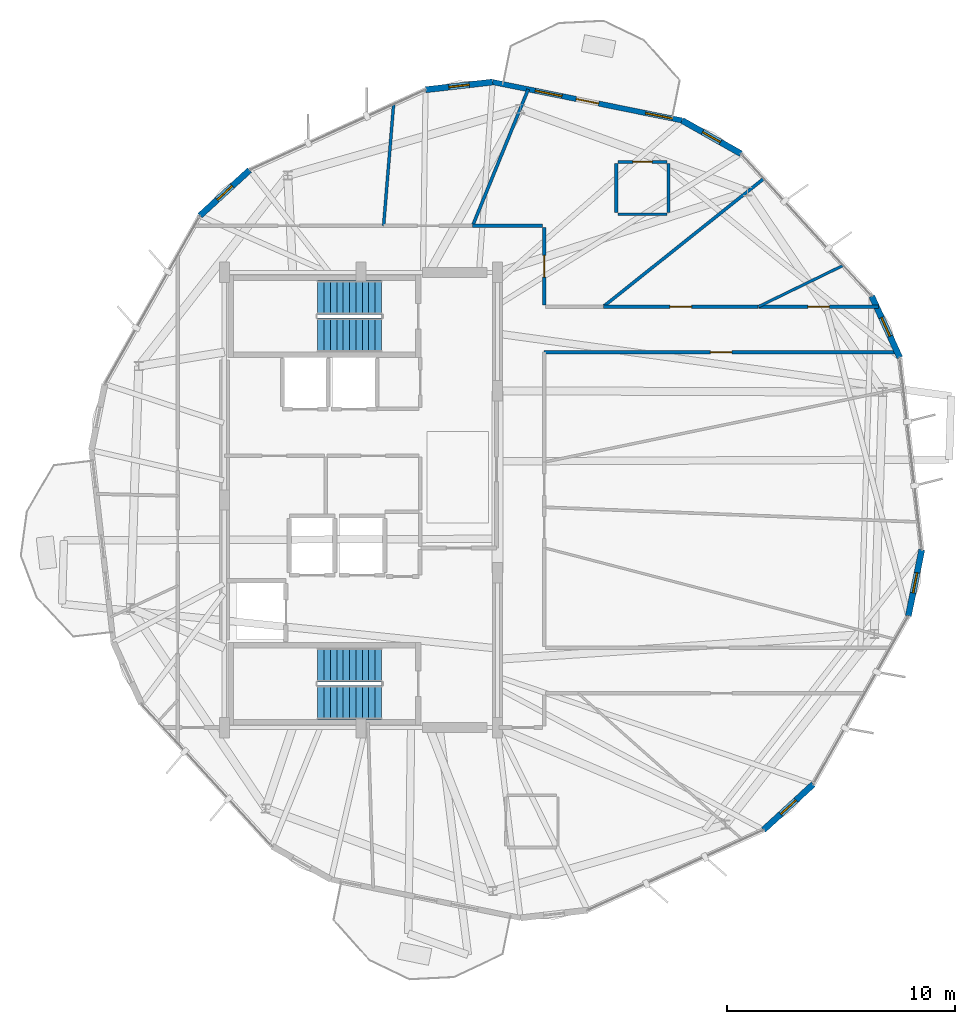
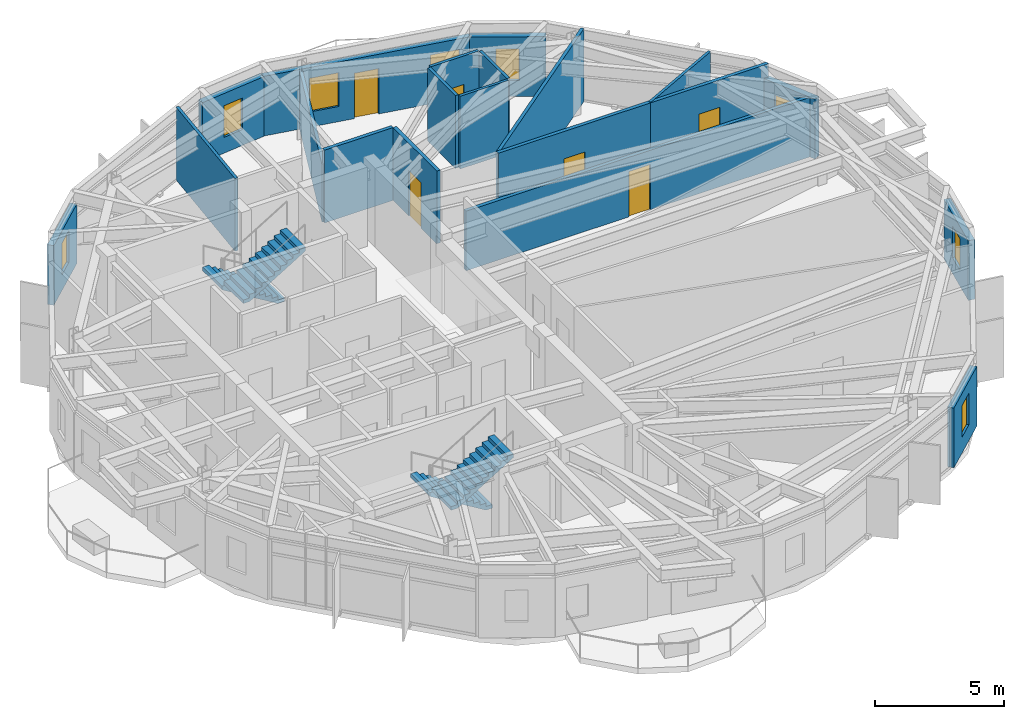
# One storey, part 19 of 23: 20 walls, 8 windows, 6 doors, 4 stair flights, 14 openings, 2 elements without a shape of their own.
"""IFC4 building model written with IfcOpenShell, lengths in metres."""

from ifc_helpers import new_model, si_unit, direction, frame, frame_2d, origin, place, context, subcontext, project, spatial, polyline, rectangle, outline, extrude, material, layer, layer_set, type_object, element, fill, aggregate, save


model = new_model("IFC4")

# Units and contexts
model_context = context("Model", 3, precision=1e-05, world=origin(), true_north=direction((0.0, 1.0)))
body_context = subcontext(model_context, "Body", "Model", "MODEL_VIEW")
ifc_project = project(units=[si_unit("LENGTHUNIT", "METRE"), si_unit("AREAUNIT", "SQUARE_METRE"), si_unit("VOLUMEUNIT", "CUBIC_METRE"), si_unit("PLANEANGLEUNIT", "RADIAN"), si_unit("MASSUNIT", "GRAM", prefix="KILO")], contexts=[model_context])

# Site, building, storey
site_placement = place(None, origin())
site = spatial("IfcSite", under=ifc_project, at=site_placement, CompositionType="ELEMENT")
building_placement = place(site_placement, origin())
building = spatial("IfcBuilding", under=site, at=building_placement, Name="Soratama Intermodal Tower", CompositionType="ELEMENT")
storey_placement = place(building_placement, frame((0.0, 0.0, 261.25)))
storey = spatial("IfcBuildingStorey", under=building, at=storey_placement, Name="L66", CompositionType="ELEMENT", Elevation=261.25)

# Wall, openings, door, windows
ifc_material_1 = material(Name="Concrete f'c 42 MPa", Category="concrete")
ifc_layer_1 = layer(ifc_material_1, 0.22998046875)
ifc_layer_set_1 = layer_set([ifc_layer_1], Name="Concrete f'c 42 MPa")
wall_type_1 = type_object("IfcWallType", Name="EW-BAL-230", PredefinedType="SOLIDWALL", material=ifc_layer_set_1)
wall_1_placement = place(storey_placement, frame((52.717529296875, 41.678955078125, 0.0), z_axis=(0.0, 0.0, 1.0), x_axis=(-0.980059134028, 0.198706048744, 0.0)))
wall_1 = element("IfcWall", 1, at=wall_1_placement, inside=storey, type_object=wall_type_1, Name="L66 Terrace Wall F01", PredefinedType="SOLIDWALL", context=body_context, shape_type="SweptSolid", body=[
    extrude(rectangle(XDim=8.499755859375, YDim=0.22998046875, at=frame_2d((4.25, 0.0))), origin(), (0.0, 0.0, 1.0), 2.8291015625),
])
opening_1_placement = place(wall_1_placement, frame((3.75, 0.0, 0.0)))
opening_1 = element("IfcOpeningElement", 2, at=opening_1_placement, cuts=wall_1, Name="Opening ED-2", PredefinedType="OPENING", context=body_context, shape_type="SweptSolid", body=[
    extrude(rectangle(XDim=1.0, YDim=2.14990234375, at=frame_2d((0.5, 1.074951171875))), frame((0.0, 0.125, 0.0), z_axis=(0.0, -1.0, 0.0), x_axis=(1.0, 0.0, 0.0)), (0.0, 0.0, 1.0), 0.25),
])
opening_2_placement = place(wall_1_placement, frame((0.43994140625, 0.0, 0.719970703125)))
opening_2 = element("IfcOpeningElement", 3, at=opening_2_placement, cuts=wall_1, Name="Opening WN-2", PredefinedType="OPENING", context=body_context, shape_type="SweptSolid", body=[
    extrude(rectangle(XDim=1.199951171875, YDim=1.60009765625, at=frame_2d((0.60009765625, 0.800048828125))), frame((0.0, 0.125, 0.0), z_axis=(0.0, -1.0, 0.0), x_axis=(1.0, 0.0, 0.0)), (0.0, 0.0, 1.0), 0.25),
])
opening_3_placement = place(wall_1_placement, frame((5.389892578125, 0.0, 0.719970703125)))
opening_3 = element("IfcOpeningElement", 4, at=opening_3_placement, cuts=wall_1, Name="Opening WN-2", PredefinedType="OPENING", context=body_context, shape_type="SweptSolid", body=[
    extrude(rectangle(XDim=1.199951171875, YDim=1.60009765625, at=frame_2d((0.60009765625, 0.800048828125))), frame((0.0, 0.125, 0.0), z_axis=(0.0, -1.0, 0.0), x_axis=(1.0, 0.0, 0.0)), (0.0, 0.0, 1.0), 0.25),
])
ifc_material_2 = material(Name="Double-glazed aluminium door", Category="aluminium")
door_type_1 = type_object("IfcDoorType", Name="DR-BAL-1000", OperationType="NOTDEFINED", PredefinedType="DOOR", material=ifc_material_2)
door_1_placement = place(opening_1_placement, origin())
door_1 = element("IfcDoor", 5, at=door_1_placement, inside=storey, type_object=door_type_1, Name="L66 Balcony Door F01", OperationType="SINGLE_SWING_LEFT", OverallHeight=2.14990234375, OverallWidth=1.0, PredefinedType="DOOR", context=body_context, shape_type="SweptSolid", body=[
    extrude(rectangle(XDim=1.0, YDim=2.14990234375, at=frame_2d((0.5, 1.074951171875))), frame((0.0, 0.02490234375, 0.0), z_axis=(0.0, -1.0, 0.0), x_axis=(1.0, 0.0, 0.0)), (0.0, 0.0, 1.0), 0.050048828125),
])
fill(opening_1, door_1)
ifc_material_3 = material(Name="Double-glazed aluminium window", Category="aluminium")
window_type_1 = type_object("IfcWindowType", Name="WN-FAC-1200", PartitioningType="SINGLE_PANEL", PredefinedType="WINDOW", material=ifc_material_3)
window_1_placement = place(opening_2_placement, origin())
window_1 = element("IfcWindow", 6, at=window_1_placement, inside=storey, type_object=window_type_1, Name="L66 Window A F01", OverallHeight=1.60009765625, OverallWidth=1.199951171875, PartitioningType="SINGLE_PANEL", PredefinedType="WINDOW", context=body_context, shape_type="SweptSolid", body=[
    extrude(rectangle(XDim=1.199951171875, YDim=1.60009765625, at=frame_2d((0.60009765625, 0.800048828125))), frame((0.0, 0.030029296875, 0.0), z_axis=(0.0, -1.0, 0.0), x_axis=(1.0, 0.0, 0.0)), (0.0, 0.0, 1.0), 0.06005859375),
])
fill(opening_2, window_1)
window_2_placement = place(opening_3_placement, origin())
window_2 = element("IfcWindow", 7, at=window_2_placement, inside=storey, type_object=window_type_1, Name="L66 Window B F01", OverallHeight=1.60009765625, OverallWidth=1.199951171875, PartitioningType="SINGLE_PANEL", PredefinedType="WINDOW", context=body_context, shape_type="SweptSolid", body=[
    extrude(rectangle(XDim=1.199951171875, YDim=1.60009765625, at=frame_2d((0.60009765625, 0.800048828125))), frame((0.0, 0.030029296875, 0.0), z_axis=(0.0, -1.0, 0.0), x_axis=(1.0, 0.0, 0.0)), (0.0, 0.0, 1.0), 0.06005859375),
])
fill(opening_3, window_2)

# Wall, opening, window
ifc_material_4 = material(Name="Concrete f'c 42 MPa", Category="concrete")
ifc_layer_2 = layer(ifc_material_4, 0.27001953125)
ifc_layer_set_2 = layer_set([ifc_layer_2], Name="Concrete f'c 42 MPa")
wall_type_2 = type_object("IfcWallType", Name="EW-CRN-270", PredefinedType="SOLIDWALL", material=ifc_layer_set_2)
wall_2_placement = place(storey_placement, frame((44.38720703125, 43.367919921875, 0.0), z_axis=(0.0, 0.0, 1.0), x_axis=(-0.993482974501, -0.113980609649, 0.0)))
wall_2 = element("IfcWall", 8, at=wall_2_placement, inside=storey, type_object=wall_type_2, Name="L66 Corner Closure Wall 01", PredefinedType="SOLIDWALL", context=body_context, shape_type="SweptSolid", body=[
    extrude(rectangle(XDim=2.966552734375, YDim=0.27001953125, at=frame_2d((1.4833984375, 0.0))), origin(), (0.0, 0.0, 1.0), 2.8291015625),
])
opening_4_placement = place(wall_2_placement, frame((1.033203125, 0.0, 0.75)))
opening_4 = element("IfcOpeningElement", 9, at=opening_4_placement, cuts=wall_2, Name="Opening WN-6", PredefinedType="OPENING", context=body_context, shape_type="SweptSolid", body=[
    extrude(rectangle(XDim=0.89990234375, YDim=1.5, at=frame_2d((0.449951171875, 0.75))), frame((0.0, 0.14501953125, 0.0), z_axis=(0.0, -1.0, 0.0), x_axis=(1.0, 0.0, 0.0)), (0.0, 0.0, 1.0), 0.2900390625),
])
ifc_material_5 = material(Name="Double-glazed aluminium window", Category="aluminium")
window_type_2 = type_object("IfcWindowType", Name="WN-FAC-900", PartitioningType="SINGLE_PANEL", PredefinedType="WINDOW", material=ifc_material_5)
window_3_placement = place(opening_4_placement, origin())
window_3 = element("IfcWindow", 10, at=window_3_placement, inside=storey, type_object=window_type_2, Name="L66 Corner Window 01", OverallHeight=1.5, OverallWidth=0.89990234375, PartitioningType="SINGLE_PANEL", PredefinedType="WINDOW", context=body_context, shape_type="SweptSolid", body=[
    extrude(rectangle(XDim=0.89990234375, YDim=1.5, at=frame_2d((0.449951171875, 0.75))), frame((0.0, 0.030029296875, 0.0), z_axis=(0.0, -1.0, 0.0), x_axis=(1.0, 0.0, 0.0)), (0.0, 0.0, 1.0), 0.06005859375),
])
fill(opening_4, window_3)

wall_3_placement = place(storey_placement, frame((33.7080078125, 39.499755859375, 0.0), z_axis=(0.0, 0.0, 1.0), x_axis=(-0.736781684987, -0.676130718625, 0.0)))
wall_3 = element("IfcWall", 11, at=wall_3_placement, inside=storey, type_object=wall_type_2, Name="L66 Corner Closure Wall 02", PredefinedType="SOLIDWALL", context=body_context, shape_type="SweptSolid", body=[
    extrude(rectangle(XDim=2.966552734375, YDim=0.27001953125, at=frame_2d((1.4833984375, 0.0))), origin(), (0.0, 0.0, 1.0), 2.8291015625),
])
opening_5_placement = place(wall_3_placement, frame((1.033203125, 0.0, 0.75)))
opening_5 = element("IfcOpeningElement", 12, at=opening_5_placement, cuts=wall_3, Name="Opening WN-6", PredefinedType="OPENING", context=body_context, shape_type="SweptSolid", body=[
    extrude(rectangle(XDim=0.89990234375, YDim=1.5, at=frame_2d((0.449951171875, 0.75))), frame((0.0, 0.14501953125, 0.0), z_axis=(0.0, -1.0, 0.0), x_axis=(1.0, 0.0, 0.0)), (0.0, 0.0, 1.0), 0.2900390625),
])
window_4_placement = place(opening_5_placement, origin())
window_4 = element("IfcWindow", 13, at=window_4_placement, inside=storey, type_object=window_type_2, Name="L66 Corner Window 02", OverallHeight=1.5, OverallWidth=0.89990234375, PartitioningType="SINGLE_PANEL", PredefinedType="WINDOW", context=body_context, shape_type="SweptSolid", body=[
    extrude(rectangle(XDim=0.89990234375, YDim=1.5, at=frame_2d((0.449951171875, 0.75))), frame((0.0, 0.030029296875, 0.0), z_axis=(0.0, -1.0, 0.0), x_axis=(1.0, 0.0, 0.0)), (0.0, 0.0, 1.0), 0.06005859375),
])
fill(opening_5, window_4)

wall_4_placement = place(storey_placement, frame((56.2919921875, 10.500244140625, 0.0), z_axis=(0.0, 0.0, 1.0), x_axis=(0.736781684987, 0.676130718625, 0.0)))
wall_4 = element("IfcWall", 14, at=wall_4_placement, inside=storey, type_object=wall_type_2, Name="L66 Corner Closure Wall 07", PredefinedType="SOLIDWALL", context=body_context, shape_type="SweptSolid", body=[
    extrude(rectangle(XDim=2.966552734375, YDim=0.27001953125, at=frame_2d((1.4833984375, 0.0))), origin(), (0.0, 0.0, 1.0), 2.8291015625),
])
opening_6_placement = place(wall_4_placement, frame((1.033203125, 0.0, 0.75)))
opening_6 = element("IfcOpeningElement", 15, at=opening_6_placement, cuts=wall_4, Name="Opening WN-6", PredefinedType="OPENING", context=body_context, shape_type="SweptSolid", body=[
    extrude(rectangle(XDim=0.89990234375, YDim=1.5, at=frame_2d((0.449951171875, 0.75))), frame((0.0, 0.14501953125, 0.0), z_axis=(0.0, -1.0, 0.0), x_axis=(1.0, 0.0, 0.0)), (0.0, 0.0, 1.0), 0.2900390625),
])
window_5_placement = place(opening_6_placement, origin())
window_5 = element("IfcWindow", 16, at=window_5_placement, inside=storey, type_object=window_type_2, Name="L66 Corner Window 07", OverallHeight=1.5, OverallWidth=0.89990234375, PartitioningType="SINGLE_PANEL", PredefinedType="WINDOW", context=body_context, shape_type="SweptSolid", body=[
    extrude(rectangle(XDim=0.89990234375, YDim=1.5, at=frame_2d((0.449951171875, 0.75))), frame((0.0, 0.030029296875, 0.0), z_axis=(0.0, -1.0, 0.0), x_axis=(1.0, 0.0, 0.0)), (0.0, 0.0, 1.0), 0.06005859375),
])
fill(opening_6, window_5)

wall_5_placement = place(storey_placement, frame((62.658203125, 19.90673828125, 0.0), z_axis=(0.0, 0.0, 1.0), x_axis=(0.198663496017, 0.980067760591, 0.0)))
wall_5 = element("IfcWall", 17, at=wall_5_placement, inside=storey, type_object=wall_type_2, Name="L66 Corner Closure Wall 08", PredefinedType="SOLIDWALL", context=body_context, shape_type="SweptSolid", body=[
    extrude(rectangle(XDim=2.966552734375, YDim=0.27001953125, at=frame_2d((1.4833984375, 0.0))), origin(), (0.0, 0.0, 1.0), 2.8291015625),
])
opening_7_placement = place(wall_5_placement, frame((1.033203125, 0.0, 0.75)))
opening_7 = element("IfcOpeningElement", 18, at=opening_7_placement, cuts=wall_5, Name="Opening WN-6", PredefinedType="OPENING", context=body_context, shape_type="SweptSolid", body=[
    extrude(rectangle(XDim=0.89990234375, YDim=1.5, at=frame_2d((0.449951171875, 0.75))), frame((0.0, 0.14501953125, 0.0), z_axis=(0.0, -1.0, 0.0), x_axis=(1.0, 0.0, 0.0)), (0.0, 0.0, 1.0), 0.2900390625),
])
window_6_placement = place(opening_7_placement, origin())
window_6 = element("IfcWindow", 19, at=window_6_placement, inside=storey, type_object=window_type_2, Name="L66 Corner Window 08", OverallHeight=1.5, OverallWidth=0.89990234375, PartitioningType="SINGLE_PANEL", PredefinedType="WINDOW", context=body_context, shape_type="SweptSolid", body=[
    extrude(rectangle(XDim=0.89990234375, YDim=1.5, at=frame_2d((0.449951171875, 0.75))), frame((0.0, 0.030029296875, 0.0), z_axis=(0.0, -1.0, 0.0), x_axis=(1.0, 0.0, 0.0)), (0.0, 0.0, 1.0), 0.06005859375),
])
fill(opening_7, window_6)

wall_6_placement = place(storey_placement, frame((62.279541015625, 31.2587890625, 0.0), z_axis=(0.0, 0.0, 1.0), x_axis=(-0.415364895304, 0.909654881672, 0.0)))
wall_6 = element("IfcWall", 20, at=wall_6_placement, inside=storey, type_object=wall_type_2, Name="L66 Corner Closure Wall 09", PredefinedType="SOLIDWALL", context=body_context, shape_type="SweptSolid", body=[
    extrude(rectangle(XDim=2.966552734375, YDim=0.27001953125, at=frame_2d((1.4833984375, 0.0))), origin(), (0.0, 0.0, 1.0), 2.8291015625),
])
opening_8_placement = place(wall_6_placement, frame((1.033203125, 0.0, 0.75)))
opening_8 = element("IfcOpeningElement", 21, at=opening_8_placement, cuts=wall_6, Name="Opening WN-6", PredefinedType="OPENING", context=body_context, shape_type="SweptSolid", body=[
    extrude(rectangle(XDim=0.89990234375, YDim=1.5, at=frame_2d((0.449951171875, 0.75))), frame((0.0, 0.14501953125, 0.0), z_axis=(0.0, -1.0, 0.0), x_axis=(1.0, 0.0, 0.0)), (0.0, 0.0, 1.0), 0.2900390625),
])
window_7_placement = place(opening_8_placement, origin())
window_7 = element("IfcWindow", 22, at=window_7_placement, inside=storey, type_object=window_type_2, Name="L66 Corner Window 09", OverallHeight=1.5, OverallWidth=0.89990234375, PartitioningType="SINGLE_PANEL", PredefinedType="WINDOW", context=body_context, shape_type="SweptSolid", body=[
    extrude(rectangle(XDim=0.89990234375, YDim=1.5, at=frame_2d((0.449951171875, 0.75))), frame((0.0, 0.030029296875, 0.0), z_axis=(0.0, -1.0, 0.0), x_axis=(1.0, 0.0, 0.0)), (0.0, 0.0, 1.0), 0.06005859375),
])
fill(opening_8, window_7)

wall_7_placement = place(storey_placement, frame((55.300537109375, 40.219970703125, 0.0), z_axis=(0.0, 0.0, 1.0), x_axis=(-0.870703816421, 0.491807751128, 0.0)))
wall_7 = element("IfcWall", 23, at=wall_7_placement, inside=storey, type_object=wall_type_2, Name="L66 Corner Closure Wall 10", PredefinedType="SOLIDWALL", context=body_context, shape_type="SweptSolid", body=[
    extrude(rectangle(XDim=2.966552734375, YDim=0.27001953125, at=frame_2d((1.4833984375, 0.0))), origin(), (0.0, 0.0, 1.0), 2.8291015625),
])
opening_9_placement = place(wall_7_placement, frame((1.033203125, 0.0, 0.75)))
opening_9 = element("IfcOpeningElement", 24, at=opening_9_placement, cuts=wall_7, Name="Opening WN-6", PredefinedType="OPENING", context=body_context, shape_type="SweptSolid", body=[
    extrude(rectangle(XDim=0.89990234375, YDim=1.5, at=frame_2d((0.449951171875, 0.75))), frame((0.0, 0.14501953125, 0.0), z_axis=(0.0, -1.0, 0.0), x_axis=(1.0, 0.0, 0.0)), (0.0, 0.0, 1.0), 0.2900390625),
])
window_8_placement = place(opening_9_placement, origin())
window_8 = element("IfcWindow", 25, at=window_8_placement, inside=storey, type_object=window_type_2, Name="L66 Corner Window 10", OverallHeight=1.5, OverallWidth=0.89990234375, PartitioningType="SINGLE_PANEL", PredefinedType="WINDOW", context=body_context, shape_type="SweptSolid", body=[
    extrude(rectangle(XDim=0.89990234375, YDim=1.5, at=frame_2d((0.449951171875, 0.75))), frame((0.0, 0.030029296875, 0.0), z_axis=(0.0, -1.0, 0.0), x_axis=(1.0, 0.0, 0.0)), (0.0, 0.0, 1.0), 0.06005859375),
])
fill(opening_9, window_8)

# Wall, opening, door
ifc_material_6 = material(Name="Fire-rated gypsum stud partition", Category="concrete")
ifc_layer_3 = layer(ifc_material_6, 0.159912109375)
ifc_layer_set_3 = layer_set([ifc_layer_3], Name="Fire-rated gypsum stud partition")
wall_type_3 = type_object("IfcWallType", Name="IW-PART-R160", PredefinedType="PARTITIONING", material=ifc_layer_set_3)
wall_8_placement = place(storey_placement, frame((62.2119140625, 31.5, 0.0), z_axis=(0.0, 0.0, 1.0), x_axis=(-1.0, 0.0, 0.0)))
wall_8 = element("IfcWall", 26, at=wall_8_placement, inside=storey, type_object=wall_type_3, Name="L66 Partition W-L66-TP004", PredefinedType="PARTITIONING", context=body_context, shape_type="SweptSolid", body=[
    extrude(rectangle(XDim=15.56201171875, YDim=0.159912109375, at=frame_2d((7.781005859375, 0.0))), origin(), (0.0, 0.0, 1.0), 2.823974609375),
])
opening_10_placement = place(wall_8_placement, frame((7.305908203125, 0.0, 0.0)))
opening_10 = element("IfcOpeningElement", 27, at=opening_10_placement, cuts=wall_8, Name="Opening ID-3", PredefinedType="OPENING", context=body_context, shape_type="SweptSolid", body=[
    extrude(rectangle(XDim=0.949951171875, YDim=2.14990234375, at=frame_2d((0.47509765625, 1.074951171875))), frame((0.0, 0.08984375, 0.0), z_axis=(0.0, -1.0, 0.0), x_axis=(1.0, 0.0, 0.0)), (0.0, 0.0, 1.0), 0.179931640625),
])
ifc_material_7 = material(Name="Solid hardwood acoustic door", Category="wood")
door_type_2 = type_object("IfcDoorType", Name="DR-ROOM-950", OperationType="NOTDEFINED", PredefinedType="DOOR", material=ifc_material_7)
door_2_placement = place(opening_10_placement, origin())
door_2 = element("IfcDoor", 28, at=door_2_placement, inside=storey, type_object=door_type_2, Name="L66 Door D-L66-TP001", OperationType="SINGLE_SWING_RIGHT", OverallHeight=2.14990234375, OverallWidth=0.949951171875, PredefinedType="DOOR", context=body_context, shape_type="SweptSolid", body=[
    extrude(rectangle(XDim=0.949951171875, YDim=2.14990234375, at=frame_2d((0.47509765625, 1.074951171875))), frame((0.0, 0.02490234375, 0.0), z_axis=(0.0, -1.0, 0.0), x_axis=(1.0, 0.0, 0.0)), (0.0, 0.0, 1.0), 0.050048828125),
])
fill(opening_10, door_2)

wall_9_placement = place(storey_placement, frame((49.25390625, 33.5, 0.0), z_axis=(0.0, 0.0, 1.0), x_axis=(1.0, 0.0, 0.0)))
wall_9 = element("IfcWall", 29, at=wall_9_placement, inside=storey, type_object=wall_type_3, Name="L66 Partition W-L66-TP013", PredefinedType="PARTITIONING", context=body_context, shape_type="SweptSolid", body=[
    extrude(rectangle(XDim=6.80517578125, YDim=0.159912109375, at=frame_2d((3.402587890625, 0.0))), origin(), (0.0, 0.0, 1.0), 3.449951171875),
])
opening_11_placement = place(wall_9_placement, frame((2.927001953125, 0.0, 0.0)))
opening_11 = element("IfcOpeningElement", 30, at=opening_11_placement, cuts=wall_9, Name="Opening ID-3", PredefinedType="OPENING", context=body_context, shape_type="SweptSolid", body=[
    extrude(rectangle(XDim=0.949951171875, YDim=2.14990234375, at=frame_2d((0.47509765625, 1.074951171875))), frame((0.0, 0.08984375, 0.0), z_axis=(0.0, -1.0, 0.0), x_axis=(1.0, 0.0, 0.0)), (0.0, 0.0, 1.0), 0.179931640625),
])
door_3_placement = place(opening_11_placement, origin())
door_3 = element("IfcDoor", 31, at=door_3_placement, inside=storey, type_object=door_type_2, Name="L66 Door D-L66-TP007", OperationType="SINGLE_SWING_RIGHT", OverallHeight=2.14990234375, OverallWidth=0.949951171875, PredefinedType="DOOR", context=body_context, shape_type="SweptSolid", body=[
    extrude(rectangle(XDim=0.949951171875, YDim=2.14990234375, at=frame_2d((0.47509765625, 1.074951171875))), frame((0.0, 0.02490234375, 0.0), z_axis=(0.0, -1.0, 0.0), x_axis=(1.0, 0.0, 0.0)), (0.0, 0.0, 1.0), 0.050048828125),
])
fill(opening_11, door_3)

wall_10_placement = place(storey_placement, frame((56.075927734375, 33.5, 0.0), z_axis=(0.0, 0.0, 1.0), x_axis=(1.0, 0.0, 0.0)))
wall_10 = element("IfcWall", 32, at=wall_10_placement, inside=storey, type_object=wall_type_3, Name="L66 Partition W-L66-TP016", PredefinedType="PARTITIONING", context=body_context, shape_type="SweptSolid", body=[
    extrude(rectangle(XDim=5.275146484375, YDim=0.159912109375, at=frame_2d((2.6376953125, 0.0))), origin(), (0.0, 0.0, 1.0), 3.449951171875),
])
opening_12_placement = place(wall_10_placement, frame((2.162109375, 0.0, 0.0)))
opening_12 = element("IfcOpeningElement", 33, at=opening_12_placement, cuts=wall_10, Name="Opening ID-3", PredefinedType="OPENING", context=body_context, shape_type="SweptSolid", body=[
    extrude(rectangle(XDim=0.949951171875, YDim=2.14990234375, at=frame_2d((0.47509765625, 1.074951171875))), frame((0.0, 0.08984375, 0.0), z_axis=(0.0, -1.0, 0.0), x_axis=(1.0, 0.0, 0.0)), (0.0, 0.0, 1.0), 0.179931640625),
])
door_4_placement = place(opening_12_placement, origin())
door_4 = element("IfcDoor", 34, at=door_4_placement, inside=storey, type_object=door_type_2, Name="L66 Door D-L66-TP008", OperationType="SINGLE_SWING_LEFT", OverallHeight=2.14990234375, OverallWidth=0.949951171875, PredefinedType="DOOR", context=body_context, shape_type="SweptSolid", body=[
    extrude(rectangle(XDim=0.949951171875, YDim=2.14990234375, at=frame_2d((0.47509765625, 1.074951171875))), frame((0.0, 0.02490234375, 0.0), z_axis=(0.0, -1.0, 0.0), x_axis=(1.0, 0.0, 0.0)), (0.0, 0.0, 1.0), 0.050048828125),
])
fill(opening_12, door_4)

wall_11_placement = place(storey_placement, frame((46.64990234375, 36.97998046875, 0.0), z_axis=(0.0, 0.0, 1.0), x_axis=(0.0, -1.0, 0.0)))
wall_11 = element("IfcWall", 35, at=wall_11_placement, inside=storey, type_object=wall_type_3, Name="L66 Partition W-L66-TP026", PredefinedType="PARTITIONING", context=body_context, shape_type="SweptSolid", body=[
    extrude(rectangle(XDim=3.409912109375, YDim=0.159912109375, at=frame_2d((1.705078125, 0.0))), origin(), (0.0, 0.0, 1.0), 3.449951171875),
])
opening_13_placement = place(wall_11_placement, frame((1.22998046875, 0.0, 0.0)))
opening_13 = element("IfcOpeningElement", 36, at=opening_13_placement, cuts=wall_11, Name="Opening ID-3", PredefinedType="OPENING", context=body_context, shape_type="SweptSolid", body=[
    extrude(rectangle(XDim=0.949951171875, YDim=2.14990234375, at=frame_2d((0.47509765625, 1.074951171875))), frame((0.0, 0.08984375, 0.0), z_axis=(0.0, -1.0, 0.0), x_axis=(1.0, 0.0, 0.0)), (0.0, 0.0, 1.0), 0.179931640625),
])
door_5_placement = place(opening_13_placement, origin())
door_5 = element("IfcDoor", 37, at=door_5_placement, inside=storey, type_object=door_type_2, Name="L66 Door D-L66-TP014", OperationType="SINGLE_SWING_LEFT", OverallHeight=2.14990234375, OverallWidth=0.949951171875, PredefinedType="DOOR", context=body_context, shape_type="SweptSolid", body=[
    extrude(rectangle(XDim=0.949951171875, YDim=2.14990234375, at=frame_2d((0.47509765625, 1.074951171875))), frame((0.0, 0.02490234375, 0.0), z_axis=(0.0, -1.0, 0.0), x_axis=(1.0, 0.0, 0.0)), (0.0, 0.0, 1.0), 0.050048828125),
])
fill(opening_13, door_5)

# Walls
wall_12_placement = place(storey_placement, frame((43.508056640625, 37.050048828125, 0.0), z_axis=(0.0, 0.0, 1.0), x_axis=(1.0, 0.0, 0.0)))
element("IfcWall", 38, at=wall_12_placement, inside=storey, type_object=wall_type_3, Name="L66 Partition W-L66-TP029", PredefinedType="PARTITIONING", context=body_context, shape_type="SweptSolid", body=[
    extrude(rectangle(XDim=3.072021484375, YDim=0.159912109375, at=frame_2d((1.5361328125, 0.0))), origin(), (0.0, 0.0, 1.0), 3.449951171875),
])
ifc_material_8 = material(Name="Fire-rated gypsum stud partition", Category="concrete")
ifc_layer_4 = layer(ifc_material_8, 0.1201171875)
ifc_layer_set_4 = layer_set([ifc_layer_4], Name="Fire-rated gypsum stud partition")
wall_type_4 = type_object("IfcWallType", Name="IW-PART-S120", PredefinedType="PARTITIONING", material=ifc_layer_set_4)
wall_13_placement = place(storey_placement, frame((56.075927734375, 33.5, 0.0), z_axis=(0.0, 0.0, 1.0), x_axis=(0.899158676247, 0.437622754128, 0.0)))
element("IfcWall", 39, at=wall_13_placement, inside=storey, type_object=wall_type_4, Name="L66 Partition W-L66-TP021", PredefinedType="PARTITIONING", context=body_context, shape_type="SweptSolid", body=[
    extrude(rectangle(XDim=4.14501953125, YDim=0.1201171875, at=frame_2d((2.072509765625, 0.0))), origin(), (0.0, 0.0, 1.0), 3.449951171875),
])
wall_14_placement = place(storey_placement, frame((49.89111328125, 37.56103515625, 0.0), z_axis=(0.0, 0.0, 1.0), x_axis=(1.0, 0.0, 0.0)))
element("IfcWall", 40, at=wall_14_placement, inside=storey, type_object=wall_type_4, Name="L66 Partition W-L66-TP036", PredefinedType="PARTITIONING", context=body_context, shape_type="SweptSolid", body=[
    extrude(rectangle(XDim=2.159912109375, YDim=0.1201171875, at=frame_2d((1.080078125, 0.0))), origin(), (0.0, 0.0, 1.0), 3.449951171875),
])
ifc_material_9 = material(Name="Fire-rated gypsum stud partition", Category="concrete")
ifc_layer_5 = layer(ifc_material_9, 0.1298828125)
ifc_layer_set_5 = layer_set([ifc_layer_5], Name="Fire-rated gypsum stud partition")
wall_type_5 = type_object("IfcWallType", Name="IW-PART-S130", PredefinedType="PARTITIONING", material=ifc_layer_set_5)
wall_15_placement = place(storey_placement, frame((39.594970703125, 37.050048828125, 0.0), z_axis=(0.0, 0.0, 1.0), x_axis=(0.082306219111, 0.996607087219, 0.0)))
element("IfcWall", 41, at=wall_15_placement, inside=storey, type_object=wall_type_5, Name="L66 Partition W-L66-TP015", PredefinedType="PARTITIONING", context=body_context, shape_type="SweptSolid", body=[
    extrude(rectangle(XDim=5.35693359375, YDim=0.1298828125, at=frame_2d((2.678466796875, 0.0))), origin(), (0.0, 0.0, 1.0), 3.449951171875),
])

# Wall, opening, door
wall_16_placement = place(storey_placement, frame((52.051025390625, 39.861083984375, 0.0), z_axis=(0.0, 0.0, 1.0), x_axis=(-1.0, 0.0, 0.0)))
wall_16 = element("IfcWall", 42, at=wall_16_placement, inside=storey, type_object=wall_type_5, Name="L66 Partition W-L66-TP035", PredefinedType="PARTITIONING", context=body_context, shape_type="SweptSolid", body=[
    extrude(rectangle(XDim=2.159912109375, YDim=0.1298828125, at=frame_2d((1.080078125, 0.0))), origin(), (0.0, 0.0, 1.0), 3.449951171875),
])
opening_14_placement = place(wall_16_placement, frame((0.655029296875, 0.0, 0.0)))
opening_14 = element("IfcOpeningElement", 43, at=opening_14_placement, cuts=wall_16, Name="Opening ID-4", PredefinedType="OPENING", context=body_context, shape_type="SweptSolid", body=[
    extrude(rectangle(XDim=0.85009765625, YDim=2.10009765625, at=frame_2d((0.425048828125, 1.050048828125))), frame((0.0, 0.074951171875, 0.0), z_axis=(0.0, -1.0, 0.0), x_axis=(1.0, 0.0, 0.0)), (0.0, 0.0, 1.0), 0.14990234375),
])
ifc_material_10 = material(Name="Solid hardwood acoustic door", Category="wood")
door_type_3 = type_object("IfcDoorType", Name="DR-BATH-850", OperationType="NOTDEFINED", PredefinedType="DOOR", material=ifc_material_10)
door_6_placement = place(opening_14_placement, origin())
door_6 = element("IfcDoor", 44, at=door_6_placement, inside=storey, type_object=door_type_3, Name="L66 Door D-L66-TP018", OperationType="SINGLE_SWING_LEFT", OverallHeight=2.10009765625, OverallWidth=0.85009765625, PredefinedType="DOOR", context=body_context, shape_type="SweptSolid", body=[
    extrude(rectangle(XDim=0.85009765625, YDim=2.10009765625, at=frame_2d((0.425048828125, 1.050048828125))), frame((0.0, 0.02490234375, 0.0), z_axis=(0.0, -1.0, 0.0), x_axis=(1.0, 0.0, 0.0)), (0.0, 0.0, 1.0), 0.050048828125),
])
fill(opening_14, door_6)

# Walls
wall_17_placement = place(storey_placement, frame((52.12109375, 37.631103515625, 0.0), z_axis=(0.0, 0.0, 1.0), x_axis=(0.0, 1.0, 0.0)))
element("IfcWall", 45, at=wall_17_placement, inside=storey, type_object=wall_type_5, Name="L66 Partition W-L66-TP040", PredefinedType="PARTITIONING", context=body_context, shape_type="SweptSolid", body=[
    extrude(rectangle(XDim=2.159912109375, YDim=0.1298828125, at=frame_2d((1.080078125, 0.0))), origin(), (0.0, 0.0, 1.0), 3.449951171875),
])
ifc_material_11 = material(Name="Fire-rated gypsum stud partition", Category="concrete")
ifc_layer_6 = layer(ifc_material_11, 0.139892578125)
ifc_layer_set_6 = layer_set([ifc_layer_6], Name="Fire-rated gypsum stud partition")
wall_type_6 = type_object("IfcWallType", Name="IW-PART-S140", PredefinedType="PARTITIONING", material=ifc_layer_set_6)
wall_18_placement = place(storey_placement, frame((49.25390625, 33.5, 0.0), z_axis=(0.0, 0.0, 1.0), x_axis=(0.781723660119, 0.623624982831, 0.0)))
element("IfcWall", 46, at=wall_18_placement, inside=storey, type_object=wall_type_6, Name="L66 Partition W-L66-TP009", PredefinedType="PARTITIONING", context=body_context, shape_type="SweptSolid", body=[
    extrude(rectangle(XDim=9.019775390625, YDim=0.139892578125, at=frame_2d((4.509765625, 0.0))), origin(), (0.0, 0.0, 1.0), 3.449951171875),
])
wall_19_placement = place(storey_placement, frame((43.508056640625, 37.050048828125, 0.0), z_axis=(0.0, 0.0, 1.0), x_axis=(0.377035942595, 0.926198627721, 0.0)))
element("IfcWall", 47, at=wall_19_placement, inside=storey, type_object=wall_type_6, Name="L66 Partition W-L66-TP014", PredefinedType="PARTITIONING", context=body_context, shape_type="SweptSolid", body=[
    extrude(rectangle(XDim=6.479248046875, YDim=0.139892578125, at=frame_2d((3.23974609375, 0.0))), origin(), (0.0, 0.0, 1.0), 2.7451171875),
])
wall_20_placement = place(storey_placement, frame((49.821044921875, 39.791015625, 0.0), z_axis=(0.0, 0.0, 1.0), x_axis=(0.0, -1.0, 0.0)))
element("IfcWall", 48, at=wall_20_placement, inside=storey, type_object=wall_type_6, Name="L66 Partition W-L66-TP039", PredefinedType="PARTITIONING", context=body_context, shape_type="SweptSolid", body=[
    extrude(rectangle(XDim=2.159912109375, YDim=0.139892578125, at=frame_2d((1.080078125, 0.0))), origin(), (0.0, 0.0, 1.0), 3.449951171875),
])

# Stair, stair flights
ifc_material_12 = material(Name="Concrete f'c 42 MPa", Category="concrete")
stair_type = type_object("IfcStairType", Name="ST-CORE-DOGLEG", PredefinedType="HALF_TURN_STAIR", material=ifc_material_12)
stair_1_placement = place(storey_placement, origin())
stair_1 = element("IfcStair", 49, at=stair_1_placement, inside=storey, type_object=stair_type, Name="L66 ST-1", PredefinedType="HALF_TURN_STAIR")
ifc_material_13 = material(Name="Precast concrete f'c 40 MPa", Category="concrete")
ifc_layer_7 = layer(ifc_material_13, 0.199951171875)
ifc_layer_set_7 = layer_set([ifc_layer_7], Name="Precast concrete f'c 40 MPa")
stair_flight_type = type_object("IfcStairFlightType", Name="SF-FLIGHT-RC", PredefinedType="STRAIGHT", material=ifc_layer_set_7)
stair_flight_1_placement = place(storey_placement, frame((39.5, 17.75, 0.0), z_axis=(0.0, 0.0, 1.0), x_axis=(-1.0, 0.0, 0.0)))
stair_flight_1 = element("IfcStairFlight", 50, at=stair_flight_1_placement, type_object=stair_flight_type, Name="ST-1 flight 1", NumberOfRisers=11, NumberOfTreads=10, PredefinedType="STRAIGHT", RiserHeight=0.170454545, TreadLength=0.28, context=body_context, shape_type="SweptSolid", body=[
    extrude(outline(polyline([(0.0, 0.0), (0.0, 0.17041015625), (0.280029296875, 0.17041015625), (0.280029296875, 0.3408203125), (0.56005859375, 0.3408203125), (0.56005859375, 0.511474609375), (0.840087890625, 0.511474609375), (0.840087890625, 0.681884765625), (1.1201171875, 0.681884765625), (1.1201171875, 0.852294921875), (1.39990234375, 0.852294921875), (1.39990234375, 1.022705078125), (1.679931640625, 1.022705078125), (1.679931640625, 1.193115234375), (1.9599609375, 1.193115234375), (1.9599609375, 1.363525390625), (2.239990234375, 1.363525390625), (2.239990234375, 1.5341796875), (2.52001953125, 1.5341796875), (2.52001953125, 1.70458984375), (2.800048828125, 1.70458984375), (2.800048828125, 1.875), (2.800048828125, 1.529052734375), (0.288330078125, 0.0), (0.0, 0.0)])), frame((0.0, 0.75, 0.0), z_axis=(0.0, -1.0, 0.0), x_axis=(1.0, 0.0, 0.0)), (0.0, 0.0, 1.0), 1.5),
])
stair_flight_2_placement = place(storey_placement, frame((36.699951171875, 16.10009765625, 1.875), z_axis=(0.0, 0.0, 1.0), x_axis=(1.0, 0.0, 0.0)))
stair_flight_2 = element("IfcStairFlight", 51, at=stair_flight_2_placement, type_object=stair_flight_type, Name="ST-1 flight 2", NumberOfRisers=11, NumberOfTreads=10, PredefinedType="STRAIGHT", RiserHeight=0.170454545, TreadLength=0.28, context=body_context, shape_type="SweptSolid", body=[
    extrude(outline(polyline([(0.0, 0.0), (0.0, 0.17041015625), (0.280029296875, 0.17041015625), (0.280029296875, 0.3408203125), (0.56005859375, 0.3408203125), (0.56005859375, 0.511474609375), (0.840087890625, 0.511474609375), (0.840087890625, 0.681884765625), (1.1201171875, 0.681884765625), (1.1201171875, 0.852294921875), (1.39990234375, 0.852294921875), (1.39990234375, 1.022705078125), (1.679931640625, 1.022705078125), (1.679931640625, 1.193115234375), (1.9599609375, 1.193115234375), (1.9599609375, 1.363525390625), (2.239990234375, 1.363525390625), (2.239990234375, 1.5341796875), (2.52001953125, 1.5341796875), (2.52001953125, 1.70458984375), (2.800048828125, 1.70458984375), (2.800048828125, 1.875), (2.800048828125, 1.529052734375), (0.288330078125, 0.0), (0.0, 0.0)])), frame((0.0, 0.75, 0.0), z_axis=(0.0, -1.0, 0.0), x_axis=(1.0, 0.0, 0.0)), (0.0, 0.0, 1.0), 1.5),
])
aggregate(stair_1, [stair_flight_1, stair_flight_2])

stair_2_placement = place(storey_placement, origin())
stair_2 = element("IfcStair", 52, at=stair_2_placement, inside=storey, type_object=stair_type, Name="L66 ST-2", PredefinedType="HALF_TURN_STAIR")
stair_flight_3_placement = place(storey_placement, frame((39.5, 33.89990234375, 0.0), z_axis=(0.0, 0.0, 1.0), x_axis=(-1.0, 0.0, 0.0)))
stair_flight_3 = element("IfcStairFlight", 53, at=stair_flight_3_placement, type_object=stair_flight_type, Name="ST-2 flight 1", NumberOfRisers=11, NumberOfTreads=10, PredefinedType="STRAIGHT", RiserHeight=0.170454545, TreadLength=0.28, context=body_context, shape_type="SweptSolid", body=[
    extrude(outline(polyline([(0.0, 0.0), (0.0, 0.17041015625), (0.280029296875, 0.17041015625), (0.280029296875, 0.3408203125), (0.56005859375, 0.3408203125), (0.56005859375, 0.511474609375), (0.840087890625, 0.511474609375), (0.840087890625, 0.681884765625), (1.1201171875, 0.681884765625), (1.1201171875, 0.852294921875), (1.39990234375, 0.852294921875), (1.39990234375, 1.022705078125), (1.679931640625, 1.022705078125), (1.679931640625, 1.193115234375), (1.9599609375, 1.193115234375), (1.9599609375, 1.363525390625), (2.239990234375, 1.363525390625), (2.239990234375, 1.5341796875), (2.52001953125, 1.5341796875), (2.52001953125, 1.70458984375), (2.800048828125, 1.70458984375), (2.800048828125, 1.875), (2.800048828125, 1.529052734375), (0.288330078125, 0.0), (0.0, 0.0)])), frame((0.0, 0.75, 0.0), z_axis=(0.0, -1.0, 0.0), x_axis=(1.0, 0.0, 0.0)), (0.0, 0.0, 1.0), 1.5),
])
stair_flight_4_placement = place(storey_placement, frame((36.699951171875, 32.25, 1.875), z_axis=(0.0, 0.0, 1.0), x_axis=(1.0, 0.0, 0.0)))
stair_flight_4 = element("IfcStairFlight", 54, at=stair_flight_4_placement, type_object=stair_flight_type, Name="ST-2 flight 2", NumberOfRisers=11, NumberOfTreads=10, PredefinedType="STRAIGHT", RiserHeight=0.170454545, TreadLength=0.28, context=body_context, shape_type="SweptSolid", body=[
    extrude(outline(polyline([(0.0, 0.0), (0.0, 0.17041015625), (0.280029296875, 0.17041015625), (0.280029296875, 0.3408203125), (0.56005859375, 0.3408203125), (0.56005859375, 0.511474609375), (0.840087890625, 0.511474609375), (0.840087890625, 0.681884765625), (1.1201171875, 0.681884765625), (1.1201171875, 0.852294921875), (1.39990234375, 0.852294921875), (1.39990234375, 1.022705078125), (1.679931640625, 1.022705078125), (1.679931640625, 1.193115234375), (1.9599609375, 1.193115234375), (1.9599609375, 1.363525390625), (2.239990234375, 1.363525390625), (2.239990234375, 1.5341796875), (2.52001953125, 1.5341796875), (2.52001953125, 1.70458984375), (2.800048828125, 1.70458984375), (2.800048828125, 1.875), (2.800048828125, 1.529052734375), (0.288330078125, 0.0), (0.0, 0.0)])), frame((0.0, 0.75, 0.0), z_axis=(0.0, -1.0, 0.0), x_axis=(1.0, 0.0, 0.0)), (0.0, 0.0, 1.0), 1.5),
])
aggregate(stair_2, [stair_flight_3, stair_flight_4])

save(model, "model.ifc")
